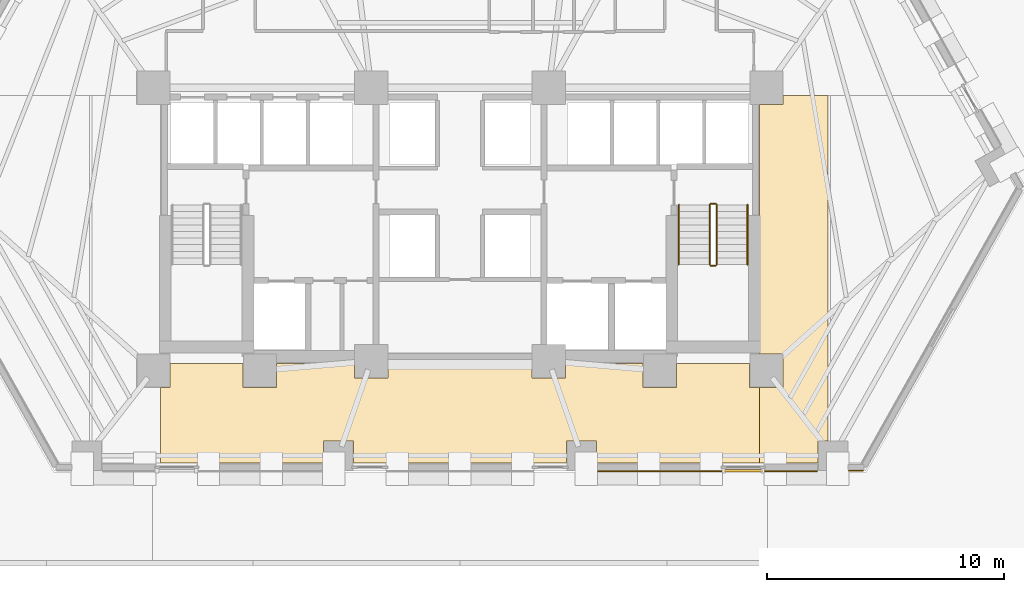
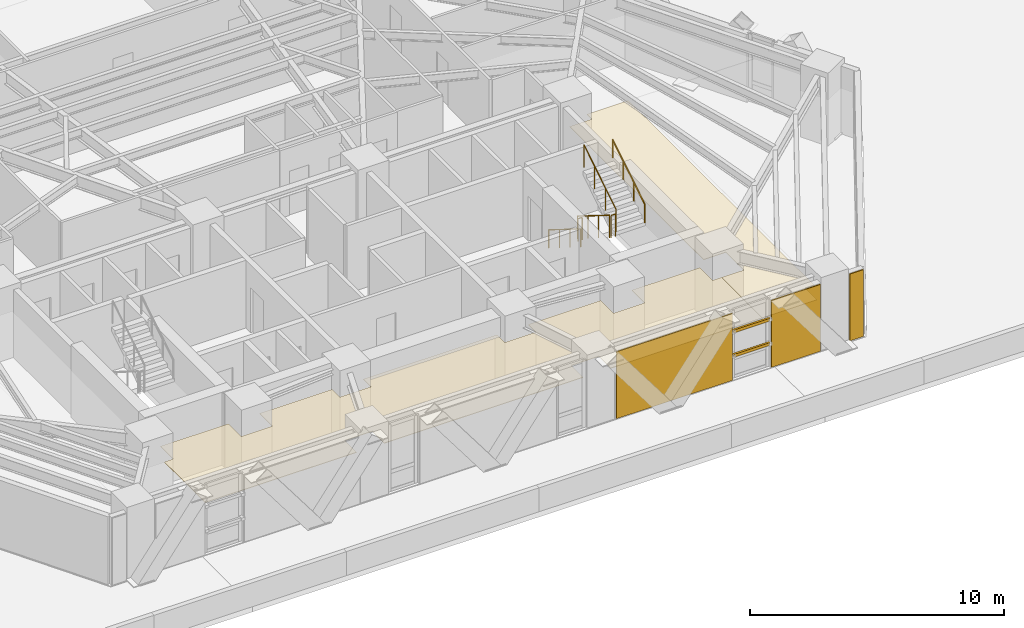
# One storey, part 13 of 14: 6 railings, 5 coverings, 2 shading devices.
"""IFC4 building model written with IfcOpenShell, lengths in metres."""

from ifc_helpers import new_model, si_unit, direction, frame, origin, origin_2d, place, context, subcontext, project, spatial, polyline, rectangle, circle, outline, extrude, material, layer, layer_set, material_profile, profile_set, type_object, element, save


model = new_model("IFC4")

# Units and contexts
model_context = context("Model", 3, precision=1e-05, world=origin(), true_north=direction((0.0, 1.0)))
body_context = subcontext(model_context, "Body", "Model", "MODEL_VIEW")
ifc_project = project(units=[si_unit("LENGTHUNIT", "METRE"), si_unit("AREAUNIT", "SQUARE_METRE"), si_unit("VOLUMEUNIT", "CUBIC_METRE"), si_unit("PLANEANGLEUNIT", "RADIAN"), si_unit("MASSUNIT", "GRAM", prefix="KILO")], contexts=[model_context])

# Site, building, storey
site_placement = place(None, origin())
site = spatial("IfcSite", under=ifc_project, at=site_placement, CompositionType="ELEMENT")
building_placement = place(site_placement, origin())
building = spatial("IfcBuilding", under=site, at=building_placement, Name="Quenlor Broadcast Tower", CompositionType="ELEMENT")
storey_placement = place(building_placement, frame((0.0, 0.0, 27.60009765625)))
storey = spatial("IfcBuildingStorey", under=building, at=storey_placement, Name="L06", CompositionType="ELEMENT", Elevation=27.60009765625)

# Coverings
ifc_material_1 = material(Name="Acoustic Mineral Fibre Board", Category="other")
ifc_layer_1 = layer(ifc_material_1, 0.02490234375)
ifc_layer_set_1 = layer_set([ifc_layer_1], Name="Acoustic Perforated Mineral Tile Ceiling 25")
covering_type_1 = type_object("IfcCoveringType", Name="Acoustic Perforated Mineral Tile Ceiling 25", PredefinedType="CEILING", material=ifc_layer_set_1)
covering_1_placement = place(storey_placement, frame((0.0, 0.0, 2.224853515625)))
element("IfcCovering", 1, at=covering_1_placement, inside=storey, type_object=covering_type_1, Name="L06 Acoustic Ceiling L06-37-5", PredefinedType="CEILING", context=body_context, shape_type="SweptSolid", body=[
    extrude(outline(polyline([(13.657958984375, -17.4580078125), (13.657958984375, -16.0419921875), (12.64990234375, -16.0419921875), (12.64990234375, -5.508056640625), (13.657958984375, -5.508056640625), (13.657958984375, -5.1201171875), (15.5400390625, -5.1201171875), (15.5400390625, -19.717041015625), (15.132080078125, -19.717041015625), (15.132080078125, -20.659912109375), (12.64990234375, -20.659912109375), (12.64990234375, -17.4580078125), (13.657958984375, -17.4580078125)])), origin(), (0.0, 0.0, 1.0), 0.025146484375),
])
covering_2_placement = place(storey_placement, frame((0.0, 0.0, 2.224853515625)))
element("IfcCovering", 2, at=covering_2_placement, inside=storey, type_object=covering_type_1, Name="L06 Acoustic Ceiling L06-37-7", PredefinedType="CEILING", context=body_context, shape_type="SweptSolid", body=[
    extrude(outline(polyline([(-12.241943359375, -17.4580078125), (-12.241943359375, -16.449951171875), (-9.157958984375, -16.449951171875), (-9.157958984375, -17.4580078125), (-7.741943359375, -17.4580078125), (-7.741943359375, -16.449951171875), (-4.4580078125, -16.449951171875), (-4.4580078125, -17.05810546875), (-3.0419921875, -17.05810546875), (-3.0419921875, -16.449951171875), (3.0419921875, -16.449951171875), (3.0419921875, -17.05810546875), (4.4580078125, -17.05810546875), (4.4580078125, -16.449951171875), (7.741943359375, -16.449951171875), (7.741943359375, -17.4580078125), (9.157958984375, -17.4580078125), (9.157958984375, -16.449951171875), (12.241943359375, -16.449951171875), (12.241943359375, -17.4580078125), (12.64990234375, -17.4580078125), (12.64990234375, -20.659912109375), (5.773681640625, -20.659912109375), (5.773681640625, -19.717041015625), (4.5078125, -19.717041015625), (4.5078125, -20.659912109375), (-4.5078125, -20.659912109375), (-4.5078125, -19.717041015625), (-5.773681640625, -19.717041015625), (-5.773681640625, -20.659912109375), (-12.64990234375, -20.659912109375), (-12.64990234375, -17.4580078125), (-12.241943359375, -17.4580078125)])), origin(), (0.0, 0.0, 1.0), 0.025146484375),
])

# Shading devices
ifc_material_2 = material(Name="Architectural Terracotta Ceramic", Category="masonry")
ifc_material_profile = material_profile(ifc_material_2, rectangle(XDim=0.090087890625, YDim=0.139892578125, at=origin_2d()))
ifc_profile_set = profile_set([ifc_material_profile], Name="Architectural Terracotta Ceramic BAG90x140")
shading_device_type = type_object("IfcShadingDeviceType", Name="Copper Terracotta Baguette Solar Screen 140", PredefinedType="USERDEFINED", material=ifc_profile_set)
for number, where, z_axis, x_axis, name in (
    (3, (12.794921875, -20.98291015625, 1.169921875), (-1.0, 0.0, 0.0), (0.0, -1.0, 0.0), "L06 Terracotta Baguette Screen 1"),
    (4, (12.794921875, -20.98291015625, 2.33984375), (-1.0, 0.0, 0.0), (0.0, -1.0, 0.0), "L06 Terracotta Baguette Screen 2"),
):
    element("IfcShadingDevice", number, at=place(storey_placement, frame(where, z_axis=z_axis, x_axis=x_axis)), inside=storey, type_object=shading_device_type, Name=name, ObjectType="BAGUETTE", PredefinedType="USERDEFINED", context=body_context, shape_type="SweptSolid", body=[
        extrude(rectangle(XDim=0.090087890625, YDim=0.139892578125, at=origin_2d()), origin(), (0.0, 0.0, 1.0), 1.6484375),
    ])

# Coverings
ifc_material_3 = material(Name="Architectural Terracotta Ceramic", Category="masonry")
ifc_layer_2 = layer(ifc_material_3, 0.044921875)
ifc_layer_set_2 = layer_set([ifc_layer_2], Name="Fluted Terracotta Rainscreen Cladding Panel")
covering_type_2 = type_object("IfcCoveringType", Name="Fluted Terracotta Rainscreen Cladding Panel", PredefinedType="CLADDING", material=ifc_layer_set_2)
covering_3_placement = place(storey_placement, frame((0.0, 0.0, 0.02001953125)))
element("IfcCovering", 5, at=covering_3_placement, inside=storey, type_object=covering_type_2, Name="L06 Terracotta Rainscreen Cladding L06-SHD-SS0", PredefinedType="CLADDING", context=body_context, shape_type="SweptSolid", body=[
    extrude(outline(polyline([(17.0458984375, -20.951904296875), (16.425048828125, -20.951904296875), (16.425048828125, -20.9970703125), (17.0458984375, -20.9970703125), (17.0458984375, -20.951904296875)])), origin(), (0.0, 0.0, 1.0), 3.2099609375),
])
covering_4_placement = place(storey_placement, frame((0.0, 0.0, 0.02001953125)))
element("IfcCovering", 6, at=covering_4_placement, inside=storey, type_object=covering_type_2, Name="L06 Terracotta Rainscreen Cladding L06-SA-SP1", PredefinedType="CLADDING", context=body_context, shape_type="SweptSolid", body=[
    extrude(outline(polyline([(15.085205078125, -20.98193359375), (12.864990234375, -20.98193359375), (12.864990234375, -21.027099609375), (15.085205078125, -21.027099609375), (15.085205078125, -20.98193359375)])), origin(), (0.0, 0.0, 1.0), 3.2099609375),
])
covering_5_placement = place(storey_placement, frame((0.0, 0.0, 0.02001953125)))
element("IfcCovering", 7, at=covering_5_placement, inside=storey, type_object=covering_type_2, Name="L06 Terracotta Rainscreen Cladding L06-SA-SP2", PredefinedType="CLADDING", context=body_context, shape_type="SweptSolid", body=[
    extrude(outline(polyline([(11.07666015625, -20.98193359375), (5.82080078125, -20.98193359375), (5.82080078125, -21.027099609375), (11.07666015625, -21.027099609375), (11.07666015625, -20.98193359375)])), origin(), (0.0, 0.0, 1.0), 3.2099609375),
])

# Railings
ifc_material_4 = material(Name="Anodised Aluminium", Category="aluminium")
railing_type_1 = type_object("IfcRailingType", Name="Stainless Aluminium Wall Handrail 900", PredefinedType="HANDRAIL", material=ifc_material_4)
railing_1_placement = place(storey_placement, frame((9.25, -9.75, 0.1748046875)))
element("IfcRailing", 8, at=railing_1_placement, inside=storey, type_object=railing_type_1, Name="L06 ST-2 stair handrail 1", PredefinedType="HANDRAIL", context=body_context, shape_type="SweptSolid", body=[
    extrude(circle(Radius=0.02392578125, at=origin_2d()), frame((0.0, 0.0, 0.8759765625), z_axis=(0.0, -0.847970611238, 0.530043245855), x_axis=(1.0, 0.0, 0.0)), (0.0, 0.0, 1.0), 2.971923828125),
    extrude(circle(Radius=0.02099609375, at=origin_2d()), origin(), (0.0, 0.0, 1.0), 0.851806640625),
    extrude(circle(Radius=0.02099609375, at=origin_2d()), frame((0.0, -0.840087890625, 0.525146484375)), (0.0, 0.0, 1.0), 0.851806640625),
    extrude(circle(Radius=0.02099609375, at=origin_2d()), frame((0.0, -1.679931640625, 1.050048828125)), (0.0, 0.0, 1.0), 0.851806640625),
    extrude(circle(Radius=0.02099609375, at=origin_2d()), frame((0.0, -2.52001953125, 1.5751953125)), (0.0, 0.0, 1.0), 0.851806640625),
])
railing_2_placement = place(storey_placement, frame((12.14990234375, -12.27001953125, 1.9248046875)))
element("IfcRailing", 9, at=railing_2_placement, inside=storey, type_object=railing_type_1, Name="L06 ST-2 stair handrail 2", PredefinedType="HANDRAIL", context=body_context, shape_type="SweptSolid", body=[
    extrude(circle(Radius=0.02392578125, at=origin_2d()), frame((0.0, 0.0, 0.8759765625), z_axis=(0.0, 0.847970611238, 0.530043245855), x_axis=(-1.0, 0.0, 0.0)), (0.0, 0.0, 1.0), 2.971923828125),
    extrude(circle(Radius=0.02099609375, at=origin_2d()), origin(), (0.0, 0.0, 1.0), 0.851806640625),
    extrude(circle(Radius=0.02099609375, at=origin_2d()), frame((0.0, 0.840087890625, 0.525146484375)), (0.0, 0.0, 1.0), 0.851806640625),
    extrude(circle(Radius=0.02099609375, at=origin_2d()), frame((0.0, 1.679931640625, 1.050048828125)), (0.0, 0.0, 1.0), 0.851806640625),
    extrude(circle(Radius=0.02099609375, at=origin_2d()), frame((0.0, 2.52001953125, 1.5751953125)), (0.0, 0.0, 1.0), 0.851806640625),
])
ifc_material_5 = material(Name="Steel S355", Category="steel")
railing_type_2 = type_object("IfcRailingType", Name="Tubular Steel S355 Stair Guardrail 1100", PredefinedType="BALUSTRADE", material=ifc_material_5)
railing_3_placement = place(storey_placement, frame((10.550048828125, -9.75, 0.1748046875)))
element("IfcRailing", 10, at=railing_3_placement, inside=storey, type_object=railing_type_2, Name="L06 ST-2 stair guard 1", PredefinedType="BALUSTRADE", context=body_context, shape_type="SweptSolid", body=[
    extrude(circle(Radius=0.02392578125, at=origin_2d()), frame((0.0, 0.0, 1.076171875), z_axis=(0.0, -0.847970611238, 0.530043245855), x_axis=(1.0, 0.0, 0.0)), (0.0, 0.0, 1.0), 2.971923828125),
    extrude(circle(Radius=0.02099609375, at=origin_2d()), origin(), (0.0, 0.0, 1.0), 1.052001953125),
    extrude(circle(Radius=0.02099609375, at=origin_2d()), frame((0.0, -0.840087890625, 0.525146484375)), (0.0, 0.0, 1.0), 1.052001953125),
    extrude(circle(Radius=0.02099609375, at=origin_2d()), frame((0.0, -1.679931640625, 1.050048828125)), (0.0, 0.0, 1.0), 1.052001953125),
    extrude(circle(Radius=0.02099609375, at=origin_2d()), frame((0.0, -2.52001953125, 1.5751953125)), (0.0, 0.0, 1.0), 1.052001953125),
])
railing_4_placement = place(storey_placement, frame((10.60009765625, -12.320068359375, 1.75)))
element("IfcRailing", 11, at=railing_4_placement, inside=storey, type_object=railing_type_2, Name="L06 ST-2 stair guard 2", PredefinedType="BALUSTRADE", context=body_context, shape_type="SweptSolid", body=[
    extrude(circle(Radius=0.02392578125, at=origin_2d()), frame((0.0, 0.0, 1.076171875), z_axis=(1.0, 0.0, 0.0), x_axis=(0.0, 1.0, 0.0)), (0.0, 0.0, 1.0), 0.199951171875),
    extrude(circle(Radius=0.02099609375, at=origin_2d()), origin(), (0.0, 0.0, 1.0), 1.052001953125),
    extrude(circle(Radius=0.02099609375, at=origin_2d()), frame((0.199951171875, 0.0, 0.0)), (0.0, 0.0, 1.0), 1.052001953125),
])
railing_5_placement = place(storey_placement, frame((10.85009765625, -12.27001953125, 1.9248046875)))
element("IfcRailing", 12, at=railing_5_placement, inside=storey, type_object=railing_type_2, Name="L06 ST-2 stair guard 3", PredefinedType="BALUSTRADE", context=body_context, shape_type="SweptSolid", body=[
    extrude(circle(Radius=0.02392578125, at=origin_2d()), frame((0.0, 0.0, 1.076171875), z_axis=(0.0, 0.847970611238, 0.530043245855), x_axis=(-1.0, 0.0, 0.0)), (0.0, 0.0, 1.0), 2.971923828125),
    extrude(circle(Radius=0.02099609375, at=origin_2d()), origin(), (0.0, 0.0, 1.0), 1.052001953125),
    extrude(circle(Radius=0.02099609375, at=origin_2d()), frame((0.0, 0.840087890625, 0.525146484375)), (0.0, 0.0, 1.0), 1.052001953125),
    extrude(circle(Radius=0.02099609375, at=origin_2d()), frame((0.0, 1.679931640625, 1.050048828125)), (0.0, 0.0, 1.0), 1.052001953125),
    extrude(circle(Radius=0.02099609375, at=origin_2d()), frame((0.0, 2.52001953125, 1.5751953125)), (0.0, 0.0, 1.0), 1.052001953125),
])
railing_6_placement = place(storey_placement, frame((10.60009765625, -9.699951171875, 0.0)))
element("IfcRailing", 13, at=railing_6_placement, inside=storey, type_object=railing_type_2, Name="L06 ST-2 stair guard 4", PredefinedType="BALUSTRADE", context=body_context, shape_type="SweptSolid", body=[
    extrude(circle(Radius=0.02392578125, at=origin_2d()), frame((0.0, 0.0, 1.076171875), z_axis=(1.0, 0.0, 0.0), x_axis=(0.0, 1.0, 0.0)), (0.0, 0.0, 1.0), 0.199951171875),
    extrude(circle(Radius=0.02099609375, at=origin_2d()), origin(), (0.0, 0.0, 1.0), 1.052001953125),
    extrude(circle(Radius=0.02099609375, at=origin_2d()), frame((0.199951171875, 0.0, 0.0)), (0.0, 0.0, 1.0), 1.052001953125),
])

save(model, "model.ifc")
